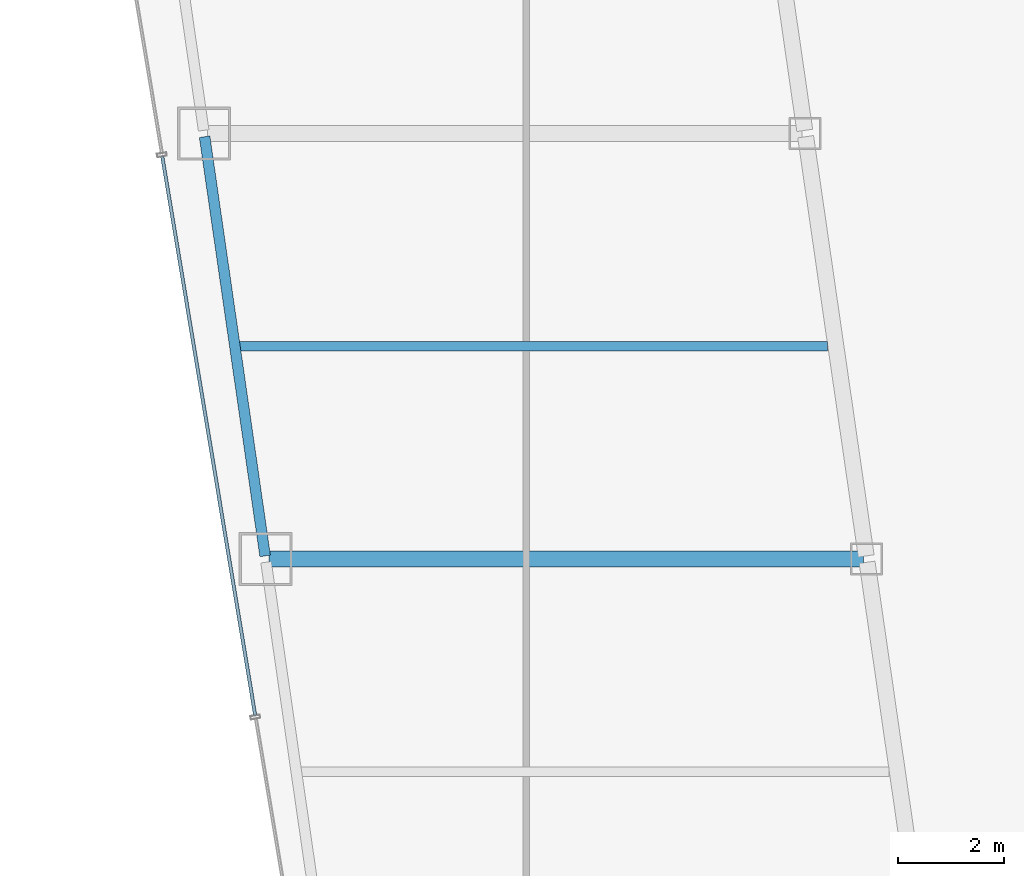
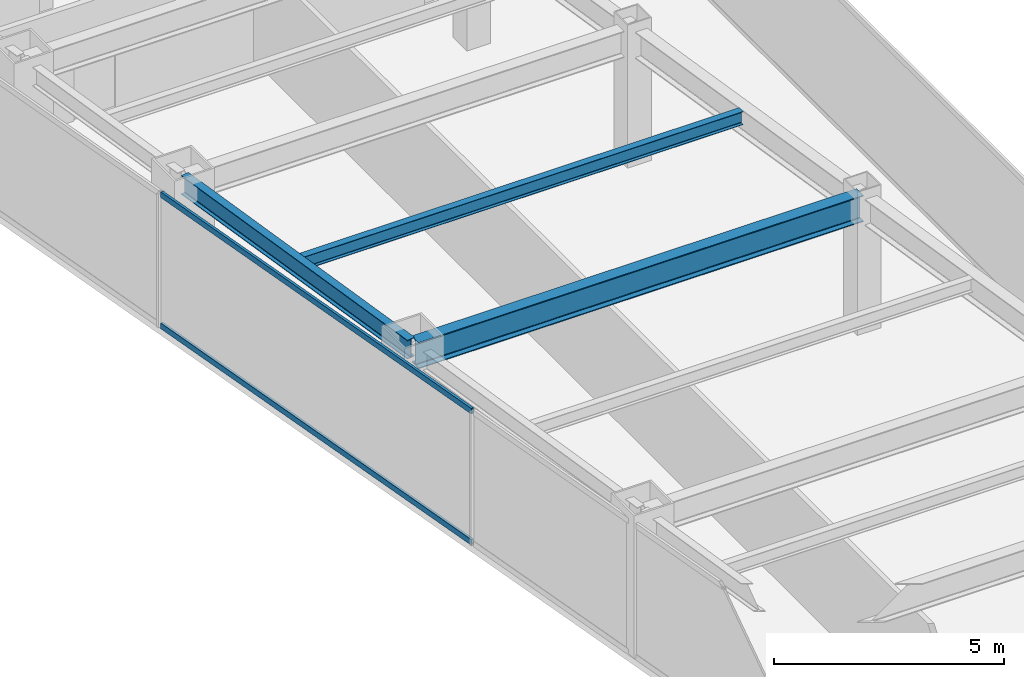
# One storey, part 8 of 36: 3 beams, 2 members, 1 element without a shape of its own.
"""IFC4 building model written with IfcOpenShell, lengths in metres."""

from ifc_helpers import new_model, si_unit, direction, frame, origin, origin_2d, place, context, subcontext, project, spatial, hollow_rectangle, i_section, extrude, material, material_profile, profile_set, type_object, element, aggregate, save


model = new_model("IFC4")

# Units and contexts
model_context = context("Model", 3, precision=1e-05, world=origin(), true_north=direction((0.0, 1.0)))
body_context = subcontext(model_context, "Body", "Model", "MODEL_VIEW")
ifc_project = project(units=[si_unit("LENGTHUNIT", "METRE"), si_unit("AREAUNIT", "SQUARE_METRE"), si_unit("VOLUMEUNIT", "CUBIC_METRE"), si_unit("PLANEANGLEUNIT", "RADIAN"), si_unit("MASSUNIT", "GRAM", prefix="KILO")], contexts=[model_context])

# Site, building, storey
site_placement = place(None, origin())
site = spatial("IfcSite", under=ifc_project, at=site_placement, CompositionType="ELEMENT")
building_placement = place(site_placement, origin())
building = spatial("IfcBuilding", under=site, at=building_placement, Name="Saevonmaru Cultural Tower", CompositionType="ELEMENT")
storey_placement = place(building_placement, frame((0.0, 0.0, 156.199951171875)))
storey = spatial("IfcBuildingStorey", under=building, at=storey_placement, Name="L34", CompositionType="ELEMENT", Elevation=156.199951171875)

# Beams
ifc_material_1 = material(Name="Steel SM355", Category="steel")
ifc_material_profile_1 = material_profile(ifc_material_1, i_section(OverallWidth=0.300048828125, OverallDepth=0.699951171875, WebThickness=0.012939453125, FlangeThickness=0.02392578125, FilletRadius=0.02587890625, at=origin_2d()), Name="H-700x300x13x24")
ifc_profile_set_1 = profile_set([ifc_material_profile_1], Name="Steel SM355")
beam_type_1 = type_object("IfcBeamType", Name="BM-G-H700", PredefinedType="BEAM", material=ifc_profile_set_1)
beam_1_placement = place(storey_placement, frame((9.531982421875, 24.0, 3.199951171875), z_axis=(1.0, 0.0, 0.0), x_axis=(0.0, 1.0, 0.0)))
element("IfcBeam", 1, at=beam_1_placement, inside=storey, type_object=beam_type_1, Name="L34 West Wing Transverse Girder 3", PredefinedType="BEAM", context=body_context, shape_type="SweptSolid", body=[
    extrude(i_section(OverallWidth=0.300048828125, OverallDepth=0.699951171875, WebThickness=0.012939453125, FlangeThickness=0.02392578125, FilletRadius=0.02587890625, at=origin_2d()), origin(), (0.0, 0.0, 1.0), 11.179931640625),
])
ifc_material_profile_2 = material_profile(ifc_material_1, i_section(OverallWidth=0.175048828125, OverallDepth=0.35009765625, WebThickness=0.007080078125, FlangeThickness=0.010986328125, FilletRadius=0.012939453125, at=origin_2d()), Name="H-350x175x7x11")
ifc_profile_set_2 = profile_set([ifc_material_profile_2], Name="Steel SM355")
beam_type_2 = type_object("IfcBeamType", Name="BM-J-H350", PredefinedType="JOIST", material=ifc_profile_set_2)
beam_2_placement = place(storey_placement, frame((8.95458984375, 28.0, 3.375), z_axis=(1.0, 0.0, 0.0), x_axis=(0.0, 1.0, 0.0)))
element("IfcBeam", 2, at=beam_2_placement, inside=storey, type_object=beam_type_2, Name="L34 West Wing Floor Joist 3", PredefinedType="JOIST", context=body_context, shape_type="SweptSolid", body=[
    extrude(i_section(OverallWidth=0.175048828125, OverallDepth=0.35009765625, WebThickness=0.007080078125, FlangeThickness=0.010986328125, FilletRadius=0.012939453125, at=origin_2d()), origin(), (0.0, 0.0, 1.0), 11.08203125),
])
ifc_material_profile_3 = material_profile(ifc_material_1, i_section(OverallWidth=0.199951171875, OverallDepth=0.5, WebThickness=0.010009765625, FlangeThickness=0.01611328125, FilletRadius=0.02001953125, at=origin_2d()), Name="H-500x200x10x16")
ifc_profile_set_3 = profile_set([ifc_material_profile_3], Name="Steel SM355")
beam_type_3 = type_object("IfcBeamType", Name="BM-SP-H500", PredefinedType="SPANDREL", material=ifc_profile_set_3)
beam_3_placement = place(storey_placement, frame((9.46337890625, 24.059326171875, 3.300048828125), z_axis=(-0.142871999001, 0.989741174197, 0.0), x_axis=(-0.989741174197, -0.142871999001, 0.0)))
element("IfcBeam", 3, at=beam_3_placement, inside=storey, type_object=beam_type_3, Name="L34 West Splayed Spandrel 3", PredefinedType="SPANDREL", context=body_context, shape_type="SweptSolid", body=[
    extrude(i_section(OverallWidth=0.199951171875, OverallDepth=0.5, WebThickness=0.010009765625, FlangeThickness=0.01611328125, FilletRadius=0.02001953125, at=origin_2d()), origin(), (0.0, 0.0, 1.0), 7.963134765625),
])

# Curtain wall, members
ifc_material_2 = material(Name="Satin Bronze Anodised Aluminium", Category="aluminium")
curtain_wall_type = type_object("IfcCurtainWallType", Name="CW-TYP-A", PredefinedType="NOTDEFINED", material=ifc_material_2)
curtain_wall_placement = place(storey_placement, origin())
curtain_wall = element("IfcCurtainWall", 4, at=curtain_wall_placement, inside=storey, type_object=curtain_wall_type, Name="L34 Unitised Curtain Wall E12", PredefinedType="NOTDEFINED")
ifc_material_profile_4 = material_profile(ifc_material_2, hollow_rectangle(XDim=0.06494140625, YDim=0.14990234375, WallThickness=0.00390625, at=origin_2d()), Name="ALU-TRAN-150x65x4")
ifc_profile_set_4 = profile_set([ifc_material_profile_4], Name="Satin Bronze Anodised Aluminium")
member_type = type_object("IfcMemberType", Name="TR-CW-150x65", PredefinedType="USERDEFINED", material=ifc_profile_set_4)
member_1_placement = place(storey_placement, frame((7.52978515625, 31.56787109375, 0.032470703125), z_axis=(0.163993787386, -0.98646137162, 0.0), x_axis=(0.98646137162, 0.163993787386, 0.0)))
member_1 = element("IfcMember", 5, at=member_1_placement, type_object=member_type, Name="CW-TW-L34-E12 transom 3.1", ObjectType="TRANSOM", PredefinedType="USERDEFINED", context=body_context, shape_type="SweptSolid", body=[
    extrude(hollow_rectangle(XDim=0.06494140625, YDim=0.14990234375, WallThickness=0.00390625, at=origin_2d()), origin(), (0.0, 0.0, 1.0), 10.650390625),
])
member_2_placement = place(storey_placement, frame((7.52978515625, 31.56787109375, 3.517578125), z_axis=(0.163993787386, -0.98646137162, 0.0), x_axis=(0.98646137162, 0.163993787386, 0.0)))
member_2 = element("IfcMember", 6, at=member_2_placement, type_object=member_type, Name="CW-TW-L34-E12 transom 3.2", ObjectType="TRANSOM", PredefinedType="USERDEFINED", context=body_context, shape_type="SweptSolid", body=[
    extrude(hollow_rectangle(XDim=0.06494140625, YDim=0.14990234375, WallThickness=0.00390625, at=origin_2d()), origin(), (0.0, 0.0, 1.0), 10.650390625),
])
aggregate(curtain_wall, [member_1, member_2])

save(model, "model.ifc")
